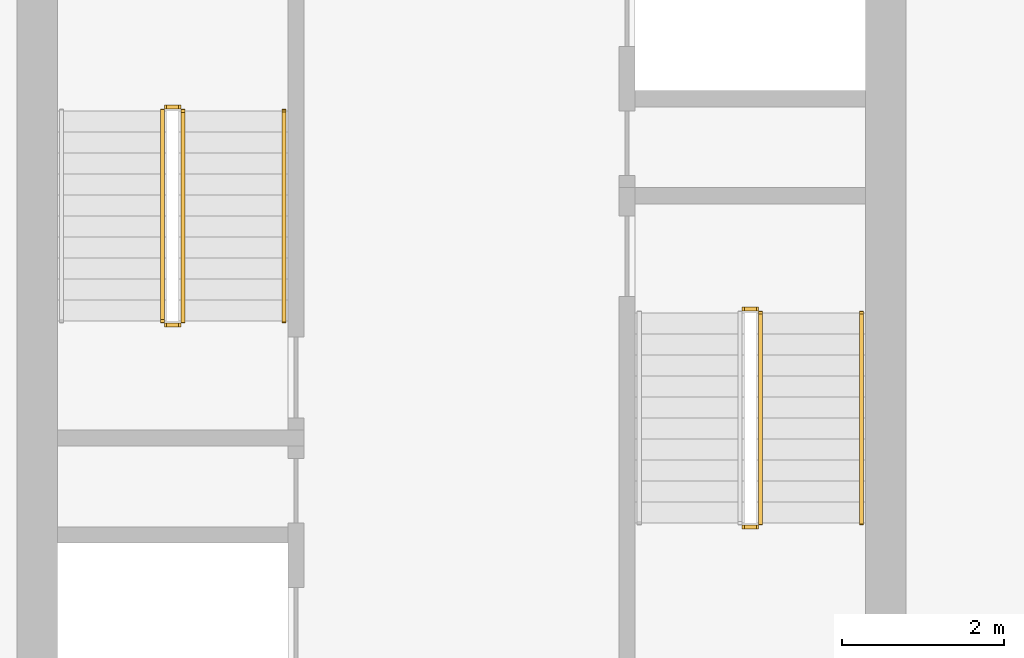
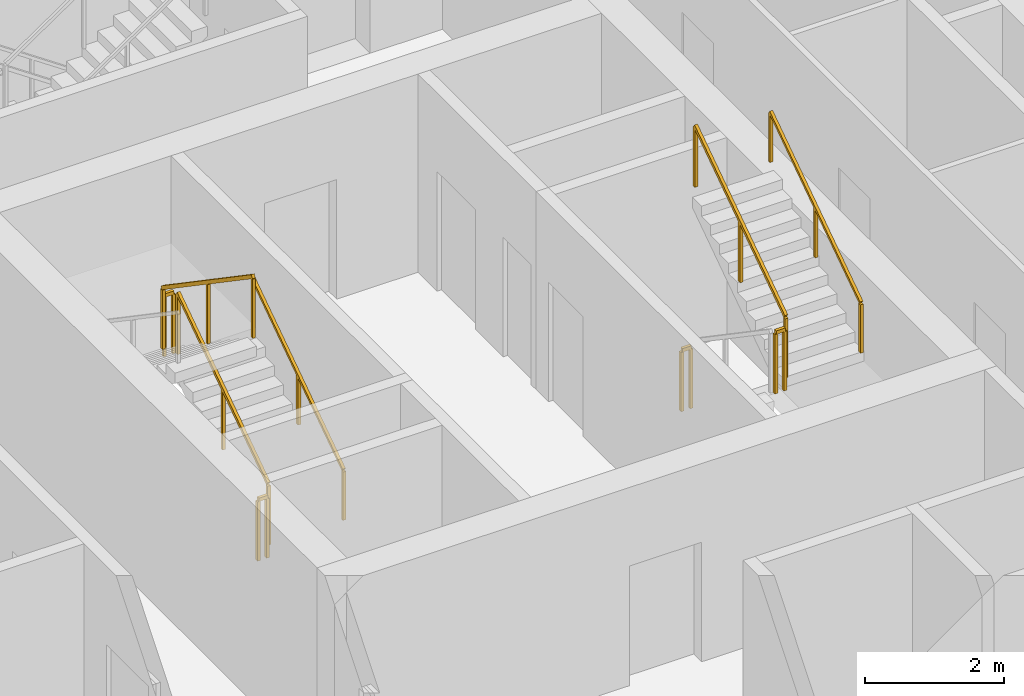
# One storey, part 11 of 14: 9 railings.
"""IFC4 building model written with IfcOpenShell, lengths in metres."""

from ifc_helpers import new_model, si_unit, direction, frame, origin, origin_2d, place, context, subcontext, project, spatial, rectangle, extrude, material, type_object, element, save


model = new_model("IFC4")

# Units and contexts
model_context = context("Model", 3, precision=1e-05, world=origin(), true_north=direction((0.0, 1.0)))
body_context = subcontext(model_context, "Body", "Model", "MODEL_VIEW")
ifc_project = project(units=[si_unit("LENGTHUNIT", "METRE"), si_unit("AREAUNIT", "SQUARE_METRE"), si_unit("VOLUMEUNIT", "CUBIC_METRE"), si_unit("PLANEANGLEUNIT", "RADIAN"), si_unit("MASSUNIT", "GRAM", prefix="KILO")], contexts=[model_context])

# Site, building, storey
site_placement = place(None, origin())
site = spatial("IfcSite", under=ifc_project, at=site_placement, CompositionType="ELEMENT")
building_placement = place(site_placement, origin())
building = spatial("IfcBuilding", under=site, at=building_placement, Name="Khepri Terraces", CompositionType="ELEMENT")
storey_placement = place(building_placement, frame((0.0, 0.0, 114.300048828125)))
storey = spatial("IfcBuildingStorey", under=building, at=storey_placement, Name="L27", CompositionType="ELEMENT", Elevation=114.300048828125)

# Railings
ifc_material = material(Name="Stainless steel 316", Category="steel")
railing_type_1 = type_object("IfcRailingType", Name="RL-CORE-GUARD", PredefinedType="GUARDRAIL", material=ifc_material)
railing_1_placement = place(storey_placement, frame((-3.449951171875, -0.050048828125, 0.17724609375)))
element("IfcRailing", 1, at=railing_1_placement, inside=storey, type_object=railing_type_1, Name="L27 ST-1 stair guard 1", PredefinedType="GUARDRAIL", context=body_context, shape_type="SweptSolid", body=[
    extrude(rectangle(XDim=0.050048828125, YDim=0.06005859375, at=origin_2d()), frame((0.0, 0.0, 1.070068359375), z_axis=(0.0, 0.826240473404, 0.563317565952), x_axis=(-1.0, 0.0, 0.0)), (0.0, 0.0, 1.0), 3.14697265625),
    extrude(rectangle(XDim=0.050048828125, YDim=0.050048828125, at=origin_2d()), origin(), (0.0, 0.0, 1.0), 1.0400390625),
    extrude(rectangle(XDim=0.050048828125, YDim=0.050048828125, at=origin_2d()), frame((0.0, 1.300048828125, 0.88623046875)), (0.0, 0.0, 1.0), 1.0400390625),
    extrude(rectangle(XDim=0.050048828125, YDim=0.050048828125, at=origin_2d()), frame((0.0, 2.60009765625, 1.772705078125)), (0.0, 0.0, 1.0), 1.0400390625),
])
railing_2_placement = place(storey_placement, frame((-3.5, 2.60009765625, 1.949951171875)))
element("IfcRailing", 2, at=railing_2_placement, inside=storey, type_object=railing_type_1, Name="L27 ST-1 stair guard 2", PredefinedType="GUARDRAIL", context=body_context, shape_type="SweptSolid", body=[
    extrude(rectangle(XDim=0.050048828125, YDim=0.06005859375, at=origin_2d()), frame((0.0, 0.0, 1.070068359375), z_axis=(-1.0, 0.0, 0.0), x_axis=(0.0, -1.0, 0.0)), (0.0, 0.0, 1.0), 0.14990234375),
    extrude(rectangle(XDim=0.050048828125, YDim=0.050048828125, at=origin_2d()), origin(), (0.0, 0.0, 1.0), 1.0400390625),
    extrude(rectangle(XDim=0.050048828125, YDim=0.050048828125, at=origin_2d()), frame((-0.14990234375, 0.0, 0.0)), (0.0, 0.0, 1.0), 1.0400390625),
])
railing_3_placement = place(storey_placement, frame((-3.699951171875, 2.550048828125, 2.127197265625)))
element("IfcRailing", 3, at=railing_3_placement, inside=storey, type_object=railing_type_1, Name="L27 ST-1 stair guard 3", PredefinedType="GUARDRAIL", context=body_context, shape_type="SweptSolid", body=[
    extrude(rectangle(XDim=0.050048828125, YDim=0.06005859375, at=origin_2d()), frame((0.0, 0.0, 1.070068359375), z_axis=(0.0, -0.826240473404, 0.563317565952), x_axis=(1.0, 0.0, 0.0)), (0.0, 0.0, 1.0), 3.14697265625),
    extrude(rectangle(XDim=0.050048828125, YDim=0.050048828125, at=origin_2d()), origin(), (0.0, 0.0, 1.0), 1.0400390625),
    extrude(rectangle(XDim=0.050048828125, YDim=0.050048828125, at=origin_2d()), frame((0.0, -1.300048828125, 0.88623046875)), (0.0, 0.0, 1.0), 1.0400390625),
    extrude(rectangle(XDim=0.050048828125, YDim=0.050048828125, at=origin_2d()), frame((0.0, -2.60009765625, 1.772705078125)), (0.0, 0.0, 1.0), 1.0400390625),
])
railing_4_placement = place(storey_placement, frame((-3.5, -0.10009765625, 0.0)))
element("IfcRailing", 4, at=railing_4_placement, inside=storey, type_object=railing_type_1, Name="L27 ST-1 stair guard 4", PredefinedType="GUARDRAIL", context=body_context, shape_type="SweptSolid", body=[
    extrude(rectangle(XDim=0.050048828125, YDim=0.06005859375, at=origin_2d()), frame((0.0, 0.0, 1.070068359375), z_axis=(-1.0, 0.0, 0.0), x_axis=(0.0, -1.0, 0.0)), (0.0, 0.0, 1.0), 0.14990234375),
    extrude(rectangle(XDim=0.050048828125, YDim=0.050048828125, at=origin_2d()), origin(), (0.0, 0.0, 1.0), 1.0400390625),
    extrude(rectangle(XDim=0.050048828125, YDim=0.050048828125, at=origin_2d()), frame((-0.14990234375, 0.0, 0.0)), (0.0, 0.0, 1.0), 1.0400390625),
])
railing_5_placement = place(storey_placement, frame((3.5, -2.60009765625, 1.949951171875)))
element("IfcRailing", 5, at=railing_5_placement, inside=storey, type_object=railing_type_1, Name="L27 ST-2 stair guard 2", PredefinedType="GUARDRAIL", context=body_context, shape_type="SweptSolid", body=[
    extrude(rectangle(XDim=0.050048828125, YDim=0.06005859375, at=origin_2d()), frame((0.0, 0.0, 1.070068359375), z_axis=(1.0, 0.0, 0.0), x_axis=(0.0, 1.0, 0.0)), (0.0, 0.0, 1.0), 0.14990234375),
    extrude(rectangle(XDim=0.050048828125, YDim=0.050048828125, at=origin_2d()), origin(), (0.0, 0.0, 1.0), 1.0400390625),
    extrude(rectangle(XDim=0.050048828125, YDim=0.050048828125, at=origin_2d()), frame((0.14990234375, 0.0, 0.0)), (0.0, 0.0, 1.0), 1.0400390625),
])
railing_6_placement = place(storey_placement, frame((3.699951171875, -2.550048828125, 2.127197265625)))
element("IfcRailing", 6, at=railing_6_placement, inside=storey, type_object=railing_type_1, Name="L27 ST-2 stair guard 3", PredefinedType="GUARDRAIL", context=body_context, shape_type="SweptSolid", body=[
    extrude(rectangle(XDim=0.050048828125, YDim=0.06005859375, at=origin_2d()), frame((0.0, 0.0, 1.070068359375), z_axis=(0.0, 0.826240473404, 0.563317565952), x_axis=(-1.0, 0.0, 0.0)), (0.0, 0.0, 1.0), 3.14697265625),
    extrude(rectangle(XDim=0.050048828125, YDim=0.050048828125, at=origin_2d()), origin(), (0.0, 0.0, 1.0), 1.0400390625),
    extrude(rectangle(XDim=0.050048828125, YDim=0.050048828125, at=origin_2d()), frame((0.0, 1.300048828125, 0.88623046875)), (0.0, 0.0, 1.0), 1.0400390625),
    extrude(rectangle(XDim=0.050048828125, YDim=0.050048828125, at=origin_2d()), frame((0.0, 2.60009765625, 1.772705078125)), (0.0, 0.0, 1.0), 1.0400390625),
])
railing_7_placement = place(storey_placement, frame((3.5, 0.10009765625, 0.0)))
element("IfcRailing", 7, at=railing_7_placement, inside=storey, type_object=railing_type_1, Name="L27 ST-2 stair guard 4", PredefinedType="GUARDRAIL", context=body_context, shape_type="SweptSolid", body=[
    extrude(rectangle(XDim=0.050048828125, YDim=0.06005859375, at=origin_2d()), frame((0.0, 0.0, 1.070068359375), z_axis=(1.0, 0.0, 0.0), x_axis=(0.0, 1.0, 0.0)), (0.0, 0.0, 1.0), 0.14990234375),
    extrude(rectangle(XDim=0.050048828125, YDim=0.050048828125, at=origin_2d()), origin(), (0.0, 0.0, 1.0), 1.0400390625),
    extrude(rectangle(XDim=0.050048828125, YDim=0.050048828125, at=origin_2d()), frame((0.14990234375, 0.0, 0.0)), (0.0, 0.0, 1.0), 1.0400390625),
])
railing_type_2 = type_object("IfcRailingType", Name="RL-CORE-HANDRAIL", PredefinedType="HANDRAIL", material=ifc_material)
for number, where, name in (
    (8, (-2.199951171875, -0.050048828125, 0.17724609375), "L27 ST-1 stair handrail 1"),
    (9, (4.949951171875, -2.550048828125, 2.127197265625), "L27 ST-2 stair handrail 2"),
):
    element("IfcRailing", number, at=place(storey_placement, frame(where)), inside=storey, type_object=railing_type_2, Name=name, PredefinedType="HANDRAIL", context=body_context, shape_type="SweptSolid", body=[
        extrude(rectangle(XDim=0.050048828125, YDim=0.050048828125, at=origin_2d()), frame((0.0, 0.0, 0.875), z_axis=(0.0, 0.826240473404, 0.563317565952), x_axis=(-1.0, 0.0, 0.0)), (0.0, 0.0, 1.0), 3.14697265625),
        extrude(rectangle(XDim=0.050048828125, YDim=0.050048828125, at=origin_2d()), origin(), (0.0, 0.0, 1.0), 0.849853515625),
        extrude(rectangle(XDim=0.050048828125, YDim=0.050048828125, at=origin_2d()), frame((0.0, 1.300048828125, 0.88623046875)), (0.0, 0.0, 1.0), 0.849853515625),
        extrude(rectangle(XDim=0.050048828125, YDim=0.050048828125, at=origin_2d()), frame((0.0, 2.60009765625, 1.772705078125)), (0.0, 0.0, 1.0), 0.849853515625),
    ])

save(model, "model.ifc")
